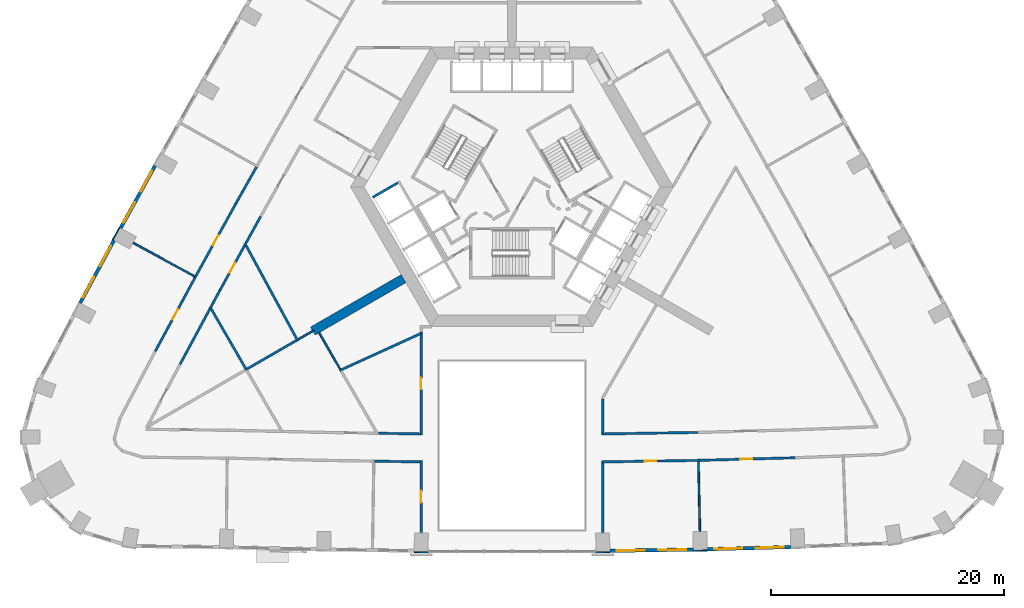
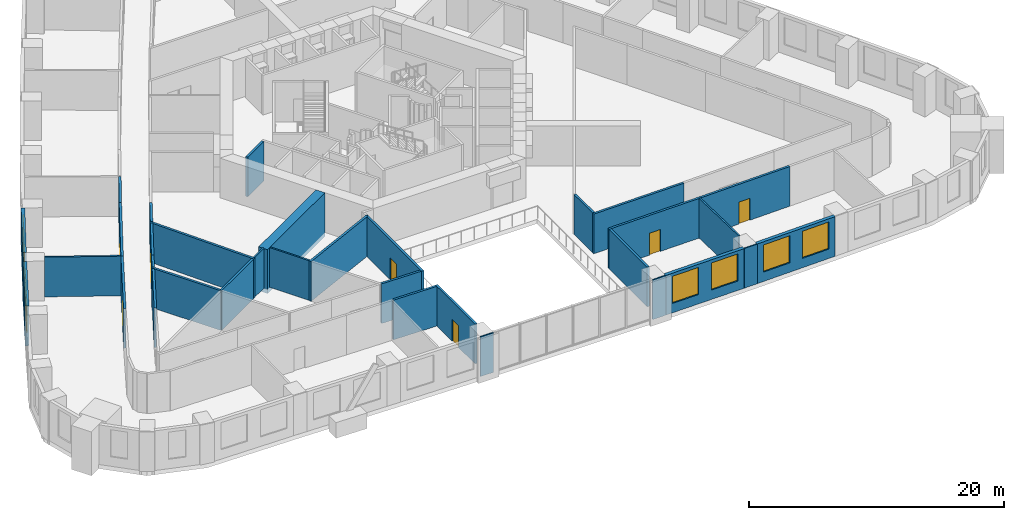
# One storey, part 5 of 13: 34 walls, 8 windows, 7 doors, 15 openings.
"""IFC4 building model written with IfcOpenShell, lengths in metres."""

from ifc_helpers import new_model, si_unit, direction, frame, frame_2d, origin, place, context, subcontext, project, spatial, rectangle, extrude, material, layer, layer_set, type_object, element, fill, save


model = new_model("IFC4")

# Units and contexts
model_context = context("Model", 3, precision=1e-05, world=origin(), true_north=direction((0.0, 1.0)))
body_context = subcontext(model_context, "Body", "Model", "MODEL_VIEW")
ifc_project = project(units=[si_unit("LENGTHUNIT", "METRE"), si_unit("AREAUNIT", "SQUARE_METRE"), si_unit("VOLUMEUNIT", "CUBIC_METRE"), si_unit("PLANEANGLEUNIT", "RADIAN"), si_unit("MASSUNIT", "GRAM", prefix="KILO")], contexts=[model_context])

# Site, building, storey
site_placement = place(None, origin())
site = spatial("IfcSite", under=ifc_project, at=site_placement, CompositionType="ELEMENT")
building_placement = place(site_placement, origin())
building = spatial("IfcBuilding", under=site, at=building_placement, Name="Entoto Arch Interchange Tower", CompositionType="ELEMENT")
storey_placement = place(building_placement, frame((0.0, 0.0, 51.800048828125)))
storey = spatial("IfcBuildingStorey", under=building, at=storey_placement, Name="L10", CompositionType="ELEMENT", Elevation=51.800048828125)

# Walls
ifc_material_1 = material(Name="Concrete C60/75", Category="concrete")
ifc_layer_1 = layer(ifc_material_1, 0.800048828125)
ifc_layer_set_1 = layer_set([ifc_layer_1], Name="Concrete C60/75")
wall_type_1 = type_object("IfcWallType", Name="Buttress wall 800 C60/75", PredefinedType="SHEAR", material=ifc_layer_set_1)
wall_1_placement = place(storey_placement, frame((-9.31005859375, -5.375, -0.400146484375), z_axis=(0.0, 0.0, 1.0), x_axis=(-0.866017533419, -0.500013631625, 0.0)))
element("IfcWall", 1, at=wall_1_placement, inside=storey, type_object=wall_type_1, Name="Buttress wall SW L10", PredefinedType="SHEAR", context=body_context, shape_type="SweptSolid", body=[
    extrude(rectangle(XDim=8.999755859375, YDim=0.800048828125, at=frame_2d((4.5, 0.0))), origin(), (0.0, 0.0, 1.0), 4.2001953125),
])
ifc_material_2 = material(Name="Concrete C40/50", Category="concrete")
ifc_layer_2 = layer(ifc_material_2, 0.199951171875)
ifc_layer_set_2 = layer_set([ifc_layer_2], Name="Concrete C40/50")
wall_type_2 = type_object("IfcWallType", Name="LIFT SHAFT WALL 200", PredefinedType="STANDARD", material=ifc_layer_set_2)
wall_2_placement = place(storey_placement, frame((-9.7880859375, 2.85302734375, 0.0), z_axis=(0.0, 0.0, 1.0), x_axis=(-0.865998541277, -0.500046524342, 0.0)))
element("IfcWall", 2, at=wall_2_placement, inside=storey, type_object=wall_type_2, Name="Shaft wall SW3 cross 1", PredefinedType="STANDARD", context=body_context, shape_type="SweptSolid", body=[
    extrude(rectangle(XDim=2.499755859375, YDim=0.199951171875, at=frame_2d((1.25, 0.0))), origin(), (0.0, 0.0, 1.0), 3.800048828125),
])
ifc_material_3 = material(Name="Gypsum board partition on steel studs", Category="steel")
ifc_layer_3 = layer(ifc_material_3, 0.14990234375)
ifc_layer_set_3 = layer_set([ifc_layer_3], Name="Gypsum board partition on steel studs")
wall_type_3 = type_object("IfcWallType", Name="PARTITION 150", PredefinedType="PARTITIONING", material=ifc_layer_set_3)
wall_3_placement = place(storey_placement, frame((-14.760986328125, -13.134033203125, 0.0), z_axis=(0.0, 0.0, 1.0), x_axis=(-0.499704810774, 0.866195764299, 0.0)))
element("IfcWall", 3, at=wall_3_placement, inside=storey, type_object=wall_type_3, Name="wall:L10:p125", PredefinedType="PARTITIONING", context=body_context, shape_type="SweptSolid", body=[
    extrude(rectangle(XDim=3.593994140625, YDim=0.14990234375, at=frame_2d((1.796875, 0.0))), origin(), (0.0, 0.0, 1.0), 3.800048828125),
])
wall_4_placement = place(storey_placement, frame((-17.032958984375, -9.8291015625, 0.0), z_axis=(0.0, 0.0, 1.0), x_axis=(-0.866094414679, -0.49988045057, 0.0)))
element("IfcWall", 4, at=wall_4_placement, inside=storey, type_object=wall_type_3, Name="wall:L10:p126", PredefinedType="PARTITIONING", context=body_context, shape_type="SweptSolid", body=[
    extrude(rectangle(XDim=1.515869140625, YDim=0.14990234375, at=frame_2d((0.7578125, 0.0))), origin(), (0.0, 0.0, 1.0), 3.800048828125),
])
wall_5_placement = place(storey_placement, frame((16.0048828125, -21.0791015625, 0.0), z_axis=(0.0, 0.0, 1.0), x_axis=(0.021436771826, -0.999770206004, 0.0)))
element("IfcWall", 5, at=wall_5_placement, inside=storey, type_object=wall_type_3, Name="wall:L10:p132", PredefinedType="PARTITIONING", context=body_context, shape_type="SweptSolid", body=[
    extrude(rectangle(XDim=5.979248046875, YDim=0.14990234375, at=frame_2d((2.98974609375, 0.0))), origin(), (0.0, 0.0, 1.0), 3.800048828125),
])
wall_6_placement = place(storey_placement, frame((-27.26806640625, -5.1708984375, 0.0), z_axis=(0.0, 0.0, 1.0), x_axis=(-0.877837854343, 0.478957932895, 0.0)))
element("IfcWall", 6, at=wall_6_placement, inside=storey, type_object=wall_type_3, Name="wall:L10:p143", PredefinedType="PARTITIONING", context=body_context, shape_type="SweptSolid", body=[
    extrude(rectangle(XDim=5.981689453125, YDim=0.14990234375, at=frame_2d((2.99072265625, 0.0))), origin(), (0.0, 0.0, 1.0), 3.800048828125),
])
ifc_layer_4 = layer(ifc_material_3, 0.199951171875)
ifc_layer_set_4 = layer_set([ifc_layer_4], Name="Gypsum board partition on steel studs")
wall_type_4 = type_object("IfcWallType", Name="PARTITION 200", PredefinedType="PARTITIONING", material=ifc_layer_set_4)
wall_7_placement = place(storey_placement, frame((7.699951171875, -18.7099609375, 0.0), z_axis=(0.0, 0.0, 1.0), x_axis=(0.999874256061, 0.015857870791, 0.0)))
element("IfcWall", 7, at=wall_7_placement, inside=storey, type_object=wall_type_4, Name="wall:L10:p018", PredefinedType="PARTITIONING", context=body_context, shape_type="SweptSolid", body=[
    extrude(rectangle(XDim=8.251953125, YDim=0.199951171875, at=frame_2d((4.1259765625, 0.0))), origin(), (0.0, 0.0, 1.0), 3.800048828125),
])
wall_8_placement = place(storey_placement, frame((-21.5849609375, -0.044921875, 0.0), z_axis=(0.0, 0.0, 1.0), x_axis=(-0.483139162319, -0.875543573921, 0.0)))
element("IfcWall", 8, at=wall_8_placement, inside=storey, type_object=wall_type_4, Name="wall:L10:p027", PredefinedType="PARTITIONING", context=body_context, shape_type="SweptSolid", body=[
    extrude(rectangle(XDim=2.610107421875, YDim=0.199951171875, at=frame_2d((1.30517578125, 0.0))), origin(), (0.0, 0.0, 1.0), 3.800048828125),
])
wall_9_placement = place(storey_placement, frame((-11.47705078125, -18.64990234375, 0.0), z_axis=(0.0, 0.0, 1.0), x_axis=(0.9998724957, -0.015968479661, 0.0)))
element("IfcWall", 9, at=wall_9_placement, inside=storey, type_object=wall_type_4, Name="wall:L10:p028", PredefinedType="PARTITIONING", context=body_context, shape_type="SweptSolid", body=[
    extrude(rectangle(XDim=3.57763671875, YDim=0.199951171875, at=frame_2d((1.788818359375, 0.0))), origin(), (0.0, 0.0, 1.0), 3.800048828125),
])

# Wall, opening, door
wall_10_placement = place(storey_placement, frame((-22.94189453125, -2.5048828125, 0.0), z_axis=(0.0, 0.0, 1.0), x_axis=(-0.48320751977, -0.875505849688, 0.0)))
wall_10 = element("IfcWall", 10, at=wall_10_placement, inside=storey, type_object=wall_type_4, Name="wall:L10:p029", PredefinedType="PARTITIONING", context=body_context, shape_type="SweptSolid", body=[
    extrude(rectangle(XDim=4.412353515625, YDim=0.199951171875, at=frame_2d((2.2060546875, 0.0))), origin(), (0.0, 0.0, 1.0), 3.800048828125),
])
opening_1_placement = place(wall_10_placement, frame((1.7060546875, 0.0, 0.0)))
opening_1 = element("IfcOpeningElement", 11, at=opening_1_placement, cuts=wall_10, Name="Opening L10-D23", PredefinedType="OPENING", context=body_context, shape_type="SweptSolid", body=[
    extrude(rectangle(XDim=1.0, YDim=2.10009765625, at=frame_2d((0.5, 1.050048828125))), frame((0.0, 0.10986328125, 0.0), z_axis=(0.0, -1.0, 0.0), x_axis=(1.0, 0.0, 0.0)), (0.0, 0.0, 1.0), 0.219970703125),
])
ifc_material_4 = material(Name="Timber door leaf in Steel S235 frame", Category="steel")
door_type = type_object("IfcDoorType", Name="DOOR DS-10 1000x2100", OperationType="SINGLE_SWING_LEFT", PredefinedType="DOOR", material=ifc_material_4)
door_1_placement = place(opening_1_placement, origin())
door_1 = element("IfcDoor", 12, at=door_1_placement, inside=storey, type_object=door_type, Name="door:L10:23", OperationType="SINGLE_SWING_LEFT", OverallHeight=2.10009765625, OverallWidth=1.0, PredefinedType="DOOR", context=body_context, shape_type="SweptSolid", body=[
    extrude(rectangle(XDim=1.0, YDim=2.10009765625, at=frame_2d((0.5, 1.050048828125))), frame((0.0, 0.02490234375, 0.0), z_axis=(0.0, -1.0, 0.0), x_axis=(1.0, 0.0, 0.0)), (0.0, 0.0, 1.0), 0.050048828125),
])
fill(opening_1, door_1)

# Walls
wall_11_placement = place(storey_placement, frame((-25.073974609375, -6.367919921875, 0.0), z_axis=(0.0, 0.0, 1.0), x_axis=(-0.474616646546, -0.880192614614, 0.0)))
element("IfcWall", 13, at=wall_11_placement, inside=storey, type_object=wall_type_4, Name="wall:L10:p030", PredefinedType="PARTITIONING", context=body_context, shape_type="SweptSolid", body=[
    extrude(rectangle(XDim=1.60546875, YDim=0.199951171875, at=frame_2d((0.802734375, 0.0))), origin(), (0.0, 0.0, 1.0), 3.800048828125),
])
wall_12_placement = place(storey_placement, frame((-25.930908203125, -7.95703125, 0.0), z_axis=(0.0, 0.0, 1.0), x_axis=(-0.474554072379, -0.880226352928, 0.0)))
element("IfcWall", 14, at=wall_12_placement, inside=storey, type_object=wall_type_4, Name="wall:L10:p033", PredefinedType="PARTITIONING", context=body_context, shape_type="SweptSolid", body=[
    extrude(rectangle(XDim=5.415771484375, YDim=0.199951171875, at=frame_2d((2.7080078125, 0.0))), origin(), (0.0, 0.0, 1.0), 3.800048828125),
])

# Wall, opening, door
wall_13_placement = place(storey_placement, frame((16.077880859375, -20.97802734375, 0.0), z_axis=(0.0, 0.0, 1.0), x_axis=(-0.999873907997, -0.015879801838, 0.0)))
wall_13 = element("IfcWall", 15, at=wall_13_placement, inside=storey, type_object=wall_type_4, Name="wall:L10:p037", PredefinedType="PARTITIONING", context=body_context, shape_type="SweptSolid", body=[
    extrude(rectangle(XDim=8.37890625, YDim=0.199951171875, at=frame_2d((4.189453125, 0.0))), origin(), (0.0, 0.0, 1.0), 3.800048828125),
])
opening_2_placement = place(wall_13_placement, frame((3.68896484375, 0.0, 0.0)))
opening_2 = element("IfcOpeningElement", 16, at=opening_2_placement, cuts=wall_13, Name="Opening L10-D01", PredefinedType="OPENING", context=body_context, shape_type="SweptSolid", body=[
    extrude(rectangle(XDim=1.0, YDim=2.10009765625, at=frame_2d((0.5, 1.050048828125))), frame((0.0, 0.10986328125, 0.0), z_axis=(0.0, -1.0, 0.0), x_axis=(1.0, 0.0, 0.0)), (0.0, 0.0, 1.0), 0.219970703125),
])
door_2_placement = place(opening_2_placement, origin())
door_2 = element("IfcDoor", 17, at=door_2_placement, inside=storey, type_object=door_type, Name="door:L10:01", OperationType="SINGLE_SWING_RIGHT", OverallHeight=2.10009765625, OverallWidth=1.0, PredefinedType="DOOR", context=body_context, shape_type="SweptSolid", body=[
    extrude(rectangle(XDim=1.0, YDim=2.10009765625, at=frame_2d((0.5, 1.050048828125))), frame((0.0, 0.02490234375, 0.0), z_axis=(0.0, -1.0, 0.0), x_axis=(1.0, 0.0, 0.0)), (0.0, 0.0, 1.0), 0.050048828125),
])
fill(opening_2, door_2)

wall_14_placement = place(storey_placement, frame((24.285888671875, -20.7548828125, 0.0), z_axis=(0.0, 0.0, 1.0), x_axis=(-0.999633883909, -0.027057312146, 0.0)))
wall_14 = element("IfcWall", 18, at=wall_14_placement, inside=storey, type_object=wall_type_4, Name="wall:L10:p039", PredefinedType="PARTITIONING", context=body_context, shape_type="SweptSolid", body=[
    extrude(rectangle(XDim=8.2109375, YDim=0.199951171875, at=frame_2d((4.10546875, 0.0))), origin(), (0.0, 0.0, 1.0), 3.800048828125),
])
opening_3_placement = place(wall_14_placement, frame((3.680908203125, 0.0, 0.0)))
opening_3 = element("IfcOpeningElement", 19, at=opening_3_placement, cuts=wall_14, Name="Opening L10-D02", PredefinedType="OPENING", context=body_context, shape_type="SweptSolid", body=[
    extrude(rectangle(XDim=1.0, YDim=2.10009765625, at=frame_2d((0.5, 1.050048828125))), frame((0.0, 0.10986328125, 0.0), z_axis=(0.0, -1.0, 0.0), x_axis=(1.0, 0.0, 0.0)), (0.0, 0.0, 1.0), 0.219970703125),
])
door_3_placement = place(opening_3_placement, origin())
door_3 = element("IfcDoor", 20, at=door_3_placement, inside=storey, type_object=door_type, Name="door:L10:02", OperationType="SINGLE_SWING_RIGHT", OverallHeight=2.10009765625, OverallWidth=1.0, PredefinedType="DOOR", context=body_context, shape_type="SweptSolid", body=[
    extrude(rectangle(XDim=1.0, YDim=2.10009765625, at=frame_2d((0.5, 1.050048828125))), frame((0.0, 0.02490234375, 0.0), z_axis=(0.0, -1.0, 0.0), x_axis=(1.0, 0.0, 0.0)), (0.0, 0.0, 1.0), 0.050048828125),
])
fill(opening_3, door_3)

wall_15_placement = place(storey_placement, frame((-27.217041015625, -5.283935546875, 0.0), z_axis=(0.0, 0.0, 1.0), x_axis=(0.483151415114, 0.875536812517, 0.0)))
wall_15 = element("IfcWall", 21, at=wall_15_placement, inside=storey, type_object=wall_type_4, Name="wall:L10:p067", PredefinedType="PARTITIONING", context=body_context, shape_type="SweptSolid", body=[
    extrude(rectangle(XDim=7.31884765625, YDim=0.199951171875, at=frame_2d((3.659423828125, 0.0))), origin(), (0.0, 0.0, 1.0), 3.800048828125),
])
opening_4_placement = place(wall_15_placement, frame((3.158935546875, 0.0, 0.0)))
opening_4 = element("IfcOpeningElement", 22, at=opening_4_placement, cuts=wall_15, Name="Opening L10-D12", PredefinedType="OPENING", context=body_context, shape_type="SweptSolid", body=[
    extrude(rectangle(XDim=1.0, YDim=2.10009765625, at=frame_2d((0.5, 1.050048828125))), frame((0.0, 0.10986328125, 0.0), z_axis=(0.0, -1.0, 0.0), x_axis=(1.0, 0.0, 0.0)), (0.0, 0.0, 1.0), 0.219970703125),
])
door_4_placement = place(opening_4_placement, origin())
door_4 = element("IfcDoor", 23, at=door_4_placement, inside=storey, type_object=door_type, Name="door:L10:12", OperationType="SINGLE_SWING_LEFT", OverallHeight=2.10009765625, OverallWidth=1.0, PredefinedType="DOOR", context=body_context, shape_type="SweptSolid", body=[
    extrude(rectangle(XDim=1.0, YDim=2.10009765625, at=frame_2d((0.5, 1.050048828125))), frame((0.0, 0.02490234375, 0.0), z_axis=(0.0, -1.0, 0.0), x_axis=(1.0, 0.0, 0.0)), (0.0, 0.0, 1.0), 0.050048828125),
])
fill(opening_4, door_4)

# Wall
wall_16_placement = place(storey_placement, frame((-23.680908203125, 1.1240234375, 0.0), z_axis=(0.0, 0.0, 1.0), x_axis=(0.491485799319, 0.870885588965, 0.0)))
element("IfcWall", 24, at=wall_16_placement, inside=storey, type_object=wall_type_4, Name="wall:L10:p068", PredefinedType="PARTITIONING", context=body_context, shape_type="SweptSolid", body=[
    extrude(rectangle(XDim=3.548095703125, YDim=0.199951171875, at=frame_2d((1.77392578125, 0.0))), origin(), (0.0, 0.0, 1.0), 3.800048828125),
])

# Wall, opening, door
wall_17_placement = place(storey_placement, frame((-30.618896484375, -11.594970703125, 0.0), z_axis=(0.0, 0.0, 1.0), x_axis=(0.474595197669, 0.880204179921, 0.0)))
wall_17 = element("IfcWall", 25, at=wall_17_placement, inside=storey, type_object=wall_type_4, Name="wall:L10:p075", PredefinedType="PARTITIONING", context=body_context, shape_type="SweptSolid", body=[
    extrude(rectangle(XDim=7.169921875, YDim=0.199951171875, at=frame_2d((3.5849609375, 0.0))), origin(), (0.0, 0.0, 1.0), 3.800048828125),
])
opening_5_placement = place(wall_17_placement, frame((3.0849609375, 0.0, 0.0)))
opening_5 = element("IfcOpeningElement", 26, at=opening_5_placement, cuts=wall_17, Name="Opening L10-D13", PredefinedType="OPENING", context=body_context, shape_type="SweptSolid", body=[
    extrude(rectangle(XDim=1.0, YDim=2.10009765625, at=frame_2d((0.5, 1.050048828125))), frame((0.0, 0.10986328125, 0.0), z_axis=(0.0, -1.0, 0.0), x_axis=(1.0, 0.0, 0.0)), (0.0, 0.0, 1.0), 0.219970703125),
])
door_5_placement = place(opening_5_placement, origin())
door_5 = element("IfcDoor", 27, at=door_5_placement, inside=storey, type_object=door_type, Name="door:L10:13", OperationType="SINGLE_SWING_LEFT", OverallHeight=2.10009765625, OverallWidth=1.0, PredefinedType="DOOR", context=body_context, shape_type="SweptSolid", body=[
    extrude(rectangle(XDim=1.0, YDim=2.10009765625, at=frame_2d((0.5, 1.050048828125))), frame((0.0, 0.02490234375, 0.0), z_axis=(0.0, -1.0, 0.0), x_axis=(1.0, 0.0, 0.0)), (0.0, 0.0, 1.0), 0.050048828125),
])
fill(opening_5, door_5)

# Walls
wall_18_placement = place(storey_placement, frame((-7.89990234375, -21.10693359375, 0.0), z_axis=(0.0, 0.0, 1.0), x_axis=(-0.999876676102, 0.015704540367, 0.0)))
element("IfcWall", 28, at=wall_18_placement, inside=storey, type_object=wall_type_4, Name="wall:L10:p078", PredefinedType="PARTITIONING", context=body_context, shape_type="SweptSolid", body=[
    extrude(rectangle(XDim=3.886474609375, YDim=0.199951171875, at=frame_2d((1.943359375, 0.0))), origin(), (0.0, 0.0, 1.0), 3.800048828125),
])
wall_19_placement = place(storey_placement, frame((7.800048828125, -15.68994140625, 0.0), z_axis=(0.0, 0.0, 1.0), x_axis=(0.0, -1.0, 0.0)))
element("IfcWall", 29, at=wall_19_placement, inside=storey, type_object=wall_type_4, Name="wall:L10:p110", PredefinedType="PARTITIONING", context=body_context, shape_type="SweptSolid", body=[
    extrude(rectangle(XDim=2.9189453125, YDim=0.199951171875, at=frame_2d((1.45947265625, 0.0))), origin(), (0.0, 0.0, 1.0), 3.800048828125),
])

# Wall, opening, door
wall_20_placement = place(storey_placement, frame((-7.800048828125, -18.80908203125, 0.0), z_axis=(0.0, 0.0, 1.0), x_axis=(0.0, 1.0, 0.0)))
wall_20 = element("IfcWall", 30, at=wall_20_placement, inside=storey, type_object=wall_type_4, Name="wall:L10:p113", PredefinedType="PARTITIONING", context=body_context, shape_type="SweptSolid", body=[
    extrude(rectangle(XDim=8.837158203125, YDim=0.199951171875, at=frame_2d((4.41845703125, 0.0))), origin(), (0.0, 0.0, 1.0), 3.800048828125),
])
opening_6_placement = place(wall_20_placement, frame((3.91796875, 0.0, 0.0)))
opening_6 = element("IfcOpeningElement", 31, at=opening_6_placement, cuts=wall_20, Name="Opening L10-D22", PredefinedType="OPENING", context=body_context, shape_type="SweptSolid", body=[
    extrude(rectangle(XDim=1.0, YDim=2.10009765625, at=frame_2d((0.5, 1.050048828125))), frame((0.0, 0.10986328125, 0.0), z_axis=(0.0, -1.0, 0.0), x_axis=(1.0, 0.0, 0.0)), (0.0, 0.0, 1.0), 0.219970703125),
])
door_6_placement = place(opening_6_placement, origin())
door_6 = element("IfcDoor", 32, at=door_6_placement, inside=storey, type_object=door_type, Name="door:L10:22", OperationType="SINGLE_SWING_RIGHT", OverallHeight=2.10009765625, OverallWidth=1.0, PredefinedType="DOOR", context=body_context, shape_type="SweptSolid", body=[
    extrude(rectangle(XDim=1.0, YDim=2.10009765625, at=frame_2d((0.5, 1.050048828125))), frame((0.0, 0.02490234375, 0.0), z_axis=(0.0, -1.0, 0.0), x_axis=(1.0, 0.0, 0.0)), (0.0, 0.0, 1.0), 0.050048828125),
])
fill(opening_6, door_6)

# Wall
wall_21_placement = place(storey_placement, frame((7.800048828125, -21.208984375, 0.0), z_axis=(0.0, 0.0, 1.0), x_axis=(0.0, -1.0, 0.0)))
element("IfcWall", 33, at=wall_21_placement, inside=storey, type_object=wall_type_4, Name="wall:L10:p114", PredefinedType="PARTITIONING", context=body_context, shape_type="SweptSolid", body=[
    extrude(rectangle(XDim=5.98095703125, YDim=0.199951171875, at=frame_2d((2.990478515625, 0.0))), origin(), (0.0, 0.0, 1.0), 3.800048828125),
])

# Wall, opening, door
wall_22_placement = place(storey_placement, frame((-7.800048828125, -27.18994140625, 0.0), z_axis=(0.0, 0.0, 1.0), x_axis=(0.0, 1.0, 0.0)))
wall_22 = element("IfcWall", 34, at=wall_22_placement, inside=storey, type_object=wall_type_4, Name="wall:L10:p115", PredefinedType="PARTITIONING", context=body_context, shape_type="SweptSolid", body=[
    extrude(rectangle(XDim=6.180908203125, YDim=0.199951171875, at=frame_2d((3.09033203125, 0.0))), origin(), (0.0, 0.0, 1.0), 3.800048828125),
])
opening_7_placement = place(wall_22_placement, frame((2.590087890625, 0.0, 0.0)))
opening_7 = element("IfcOpeningElement", 35, at=opening_7_placement, cuts=wall_22, Name="Opening L10-D15", PredefinedType="OPENING", context=body_context, shape_type="SweptSolid", body=[
    extrude(rectangle(XDim=1.0, YDim=2.10009765625, at=frame_2d((0.5, 1.050048828125))), frame((0.0, 0.10986328125, 0.0), z_axis=(0.0, -1.0, 0.0), x_axis=(1.0, 0.0, 0.0)), (0.0, 0.0, 1.0), 0.219970703125),
])
door_7_placement = place(opening_7_placement, origin())
door_7 = element("IfcDoor", 36, at=door_7_placement, inside=storey, type_object=door_type, Name="door:L10:15", OperationType="SINGLE_SWING_LEFT", OverallHeight=2.10009765625, OverallWidth=1.0, PredefinedType="DOOR", context=body_context, shape_type="SweptSolid", body=[
    extrude(rectangle(XDim=1.0, YDim=2.10009765625, at=frame_2d((0.5, 1.050048828125))), frame((0.0, 0.02490234375, 0.0), z_axis=(0.0, -1.0, 0.0), x_axis=(1.0, 0.0, 0.0)), (0.0, 0.0, 1.0), 0.050048828125),
])
fill(opening_7, door_7)

# Walls
wall_23_placement = place(storey_placement, frame((-7.800048828125, -10.072021484375, 0.0), z_axis=(0.0, 0.0, 1.0), x_axis=(-0.910011899741, -0.414582129777, 0.0)))
element("IfcWall", 37, at=wall_23_placement, inside=storey, type_object=wall_type_4, Name="wall:L10:p123", PredefinedType="PARTITIONING", context=body_context, shape_type="SweptSolid", body=[
    extrude(rectangle(XDim=7.6943359375, YDim=0.199951171875, at=frame_2d((3.84716796875, 0.0))), origin(), (0.0, 0.0, 1.0), 3.800048828125),
])
wall_24_placement = place(storey_placement, frame((-18.384033203125, -10.72509765625, 0.0), z_axis=(0.0, 0.0, 1.0), x_axis=(-0.477137547132, 0.878828630119, 0.0)))
element("IfcWall", 38, at=wall_24_placement, inside=storey, type_object=wall_type_4, Name="wall:L10:p124", PredefinedType="PARTITIONING", context=body_context, shape_type="SweptSolid", body=[
    extrude(rectangle(XDim=9.552490234375, YDim=0.199951171875, at=frame_2d((4.7763671875, 0.0))), origin(), (0.0, 0.0, 1.0), 3.800048828125),
])
wall_25_placement = place(storey_placement, frame((-18.51904296875, -10.68701171875, 0.0), z_axis=(0.0, 0.0, 1.0), x_axis=(-0.866063668779, -0.499933717229, 0.0)))
element("IfcWall", 39, at=wall_25_placement, inside=storey, type_object=wall_type_4, Name="wall:L10:p128", PredefinedType="PARTITIONING", context=body_context, shape_type="SweptSolid", body=[
    extrude(rectangle(XDim=4.968505859375, YDim=0.199951171875, at=frame_2d((2.484375, 0.0))), origin(), (0.0, 0.0, 1.0), 3.800048828125),
])
wall_26_placement = place(storey_placement, frame((-22.822021484375, -13.1708984375, 0.0), z_axis=(0.0, 0.0, 1.0), x_axis=(-0.499974913987, 0.866039886717, 0.0)))
element("IfcWall", 40, at=wall_26_placement, inside=storey, type_object=wall_type_4, Name="wall:L10:p129", PredefinedType="PARTITIONING", context=body_context, shape_type="SweptSolid", body=[
    extrude(rectangle(XDim=6.222412109375, YDim=0.199951171875, at=frame_2d((3.111328125, 0.0))), origin(), (0.0, 0.0, 1.0), 3.800048828125),
])

# Wall, openings, windows
ifc_material_5 = material(Name="Welded tuff (ignimbrite) cladding, warm buff", Category="masonry")
ifc_layer_5 = layer(ifc_material_5, 0.300048828125)
ifc_layer_set_5 = layer_set([ifc_layer_5], Name="Welded tuff (ignimbrite) cladding, warm buff")
wall_type_5 = type_object("IfcWallType", Name="STONE INFILL WALL 300", PredefinedType="STANDARD", material=ifc_layer_set_5)
wall_27_placement = place(storey_placement, frame((8.39794921875, -28.75, 0.0), z_axis=(0.0, 0.0, 1.0), x_axis=(0.999875756772, 0.015762963512, 0.0)))
wall_27 = element("IfcWall", 41, at=wall_27_placement, inside=storey, type_object=wall_type_5, Name="Facade wall S-05 L10", PredefinedType="STANDARD", context=body_context, shape_type="SweptSolid", body=[
    extrude(rectangle(XDim=7.171142578125, YDim=0.300048828125, at=frame_2d((3.58544921875, 0.0))), origin(), (0.0, 0.0, 1.0), 3.800048828125),
])
opening_8_placement = place(wall_27_placement, frame((0.593017578125, 0.0, 0.89990234375)))
opening_8 = element("IfcOpeningElement", 42, at=opening_8_placement, cuts=wall_27, Name="Opening WO-A", PredefinedType="OPENING", context=body_context, shape_type="SweptSolid", body=[
    extrude(rectangle(XDim=2.39990234375, YDim=2.60009765625, at=frame_2d((1.199951171875, 1.300048828125))), frame((0.0, 0.16015625, 0.0), z_axis=(0.0, -1.0, 0.0), x_axis=(1.0, 0.0, 0.0)), (0.0, 0.0, 1.0), 0.320068359375),
])
opening_9_placement = place(wall_27_placement, frame((4.177978515625, 0.0, 0.89990234375)))
opening_9 = element("IfcOpeningElement", 43, at=opening_9_placement, cuts=wall_27, Name="Opening WO-A", PredefinedType="OPENING", context=body_context, shape_type="SweptSolid", body=[
    extrude(rectangle(XDim=2.39990234375, YDim=2.60009765625, at=frame_2d((1.199951171875, 1.300048828125))), frame((0.0, 0.16015625, 0.0), z_axis=(0.0, -1.0, 0.0), x_axis=(1.0, 0.0, 0.0)), (0.0, 0.0, 1.0), 0.320068359375),
])
ifc_material_6 = material(Name="Clear glass, low-e double glazed", Category="glass")
window_type_1 = type_object("IfcWindowType", Name="WINDOW WO-A 2400x2600", PartitioningType="DOUBLE_PANEL_VERTICAL", PredefinedType="WINDOW", material=ifc_material_6)
window_1_placement = place(opening_8_placement, origin())
window_1 = element("IfcWindow", 44, at=window_1_placement, inside=storey, type_object=window_type_1, Name="Window WO-A S-05 L10", OverallHeight=2.60009765625, OverallWidth=2.39990234375, PartitioningType="SINGLE_PANEL", PredefinedType="WINDOW", context=body_context, shape_type="SweptSolid", body=[
    extrude(rectangle(XDim=2.39990234375, YDim=2.60009765625, at=frame_2d((1.199951171875, 1.300048828125))), frame((0.0, 0.030029296875, 0.0), z_axis=(0.0, -1.0, 0.0), x_axis=(1.0, 0.0, 0.0)), (0.0, 0.0, 1.0), 0.06005859375),
])
fill(opening_8, window_1)
window_2_placement = place(opening_9_placement, origin())
window_2 = element("IfcWindow", 45, at=window_2_placement, inside=storey, type_object=window_type_1, Name="Window WO-A S-05 L10", OverallHeight=2.60009765625, OverallWidth=2.39990234375, PartitioningType="SINGLE_PANEL", PredefinedType="WINDOW", context=body_context, shape_type="SweptSolid", body=[
    extrude(rectangle(XDim=2.39990234375, YDim=2.60009765625, at=frame_2d((1.199951171875, 1.300048828125))), frame((0.0, 0.030029296875, 0.0), z_axis=(0.0, -1.0, 0.0), x_axis=(1.0, 0.0, 0.0)), (0.0, 0.0, 1.0), 0.06005859375),
])
fill(opening_9, window_2)

wall_28_placement = place(storey_placement, frame((16.764892578125, -28.611083984375, 0.0), z_axis=(0.0, 0.0, 1.0), x_axis=(0.999633925798, 0.027055764512, 0.0)))
wall_28 = element("IfcWall", 46, at=wall_28_placement, inside=storey, type_object=wall_type_5, Name="Facade wall S-06 L10", PredefinedType="STANDARD", context=body_context, shape_type="SweptSolid", body=[
    extrude(rectangle(XDim=7.173828125, YDim=0.300048828125, at=frame_2d((3.5869140625, 0.0))), origin(), (0.0, 0.0, 1.0), 3.800048828125),
])
opening_10_placement = place(wall_28_placement, frame((0.593017578125, 0.0, 0.89990234375)))
opening_10 = element("IfcOpeningElement", 47, at=opening_10_placement, cuts=wall_28, Name="Opening WO-A", PredefinedType="OPENING", context=body_context, shape_type="SweptSolid", body=[
    extrude(rectangle(XDim=2.39990234375, YDim=2.60009765625, at=frame_2d((1.199951171875, 1.300048828125))), frame((0.0, 0.16015625, 0.0), z_axis=(0.0, -1.0, 0.0), x_axis=(1.0, 0.0, 0.0)), (0.0, 0.0, 1.0), 0.320068359375),
])
opening_11_placement = place(wall_28_placement, frame((4.179931640625, 0.0, 0.89990234375)))
opening_11 = element("IfcOpeningElement", 48, at=opening_11_placement, cuts=wall_28, Name="Opening WO-A", PredefinedType="OPENING", context=body_context, shape_type="SweptSolid", body=[
    extrude(rectangle(XDim=2.39990234375, YDim=2.60009765625, at=frame_2d((1.199951171875, 1.300048828125))), frame((0.0, 0.16015625, 0.0), z_axis=(0.0, -1.0, 0.0), x_axis=(1.0, 0.0, 0.0)), (0.0, 0.0, 1.0), 0.320068359375),
])
window_3_placement = place(opening_10_placement, origin())
window_3 = element("IfcWindow", 49, at=window_3_placement, inside=storey, type_object=window_type_1, Name="Window WO-A S-06 L10", OverallHeight=2.60009765625, OverallWidth=2.39990234375, PartitioningType="SINGLE_PANEL", PredefinedType="WINDOW", context=body_context, shape_type="SweptSolid", body=[
    extrude(rectangle(XDim=2.39990234375, YDim=2.60009765625, at=frame_2d((1.199951171875, 1.300048828125))), frame((0.0, 0.030029296875, 0.0), z_axis=(0.0, -1.0, 0.0), x_axis=(1.0, 0.0, 0.0)), (0.0, 0.0, 1.0), 0.06005859375),
])
fill(opening_10, window_3)
window_4_placement = place(opening_11_placement, origin())
window_4 = element("IfcWindow", 50, at=window_4_placement, inside=storey, type_object=window_type_1, Name="Window WO-A S-06 L10", OverallHeight=2.60009765625, OverallWidth=2.39990234375, PartitioningType="SINGLE_PANEL", PredefinedType="WINDOW", context=body_context, shape_type="SweptSolid", body=[
    extrude(rectangle(XDim=2.39990234375, YDim=2.60009765625, at=frame_2d((1.199951171875, 1.300048828125))), frame((0.0, 0.030029296875, 0.0), z_axis=(0.0, -1.0, 0.0), x_axis=(1.0, 0.0, 0.0)), (0.0, 0.0, 1.0), 0.06005859375),
])
fill(opening_11, window_4)

wall_29_placement = place(storey_placement, frame((-30.64990234375, 4.327880859375, 0.0), z_axis=(0.0, 0.0, 1.0), x_axis=(-0.483195456594, -0.875512507465, 0.0)))
wall_29 = element("IfcWall", 51, at=wall_29_placement, inside=storey, type_object=wall_type_5, Name="Facade wall NW-07 L10", PredefinedType="STANDARD", context=body_context, shape_type="SweptSolid", body=[
    extrude(rectangle(XDim=6.11962890625, YDim=0.300048828125, at=frame_2d((3.059814453125, 0.0))), origin(), (0.0, 0.0, 1.0), 3.800048828125),
])
opening_12_placement = place(wall_29_placement, frame((0.530029296875, 0.0, 0.89990234375)))
opening_12 = element("IfcOpeningElement", 52, at=opening_12_placement, cuts=wall_29, Name="Opening WO-C", PredefinedType="OPENING", context=body_context, shape_type="SweptSolid", body=[
    extrude(rectangle(XDim=2.0, YDim=2.60009765625, at=frame_2d((1.0, 1.300048828125))), frame((0.0, 0.16015625, 0.0), z_axis=(0.0, -1.0, 0.0), x_axis=(1.0, 0.0, 0.0)), (0.0, 0.0, 1.0), 0.320068359375),
])
opening_13_placement = place(wall_29_placement, frame((3.590087890625, 0.0, 0.89990234375)))
opening_13 = element("IfcOpeningElement", 53, at=opening_13_placement, cuts=wall_29, Name="Opening WO-C", PredefinedType="OPENING", context=body_context, shape_type="SweptSolid", body=[
    extrude(rectangle(XDim=2.0, YDim=2.60009765625, at=frame_2d((1.0, 1.300048828125))), frame((0.0, 0.16015625, 0.0), z_axis=(0.0, -1.0, 0.0), x_axis=(1.0, 0.0, 0.0)), (0.0, 0.0, 1.0), 0.320068359375),
])
window_type_2 = type_object("IfcWindowType", Name="WINDOW WO-C 2000x2600", PartitioningType="DOUBLE_PANEL_VERTICAL", PredefinedType="WINDOW", material=ifc_material_6)
window_5_placement = place(opening_12_placement, origin())
window_5 = element("IfcWindow", 54, at=window_5_placement, inside=storey, type_object=window_type_2, Name="Window WO-C NW-07 L10", OverallHeight=2.60009765625, OverallWidth=2.0, PartitioningType="SINGLE_PANEL", PredefinedType="WINDOW", context=body_context, shape_type="SweptSolid", body=[
    extrude(rectangle(XDim=2.0, YDim=2.60009765625, at=frame_2d((1.0, 1.300048828125))), frame((0.0, 0.030029296875, 0.0), z_axis=(0.0, -1.0, 0.0), x_axis=(1.0, 0.0, 0.0)), (0.0, 0.0, 1.0), 0.06005859375),
])
fill(opening_12, window_5)
window_6_placement = place(opening_13_placement, origin())
window_6 = element("IfcWindow", 55, at=window_6_placement, inside=storey, type_object=window_type_2, Name="Window WO-C NW-07 L10", OverallHeight=2.60009765625, OverallWidth=2.0, PartitioningType="SINGLE_PANEL", PredefinedType="WINDOW", context=body_context, shape_type="SweptSolid", body=[
    extrude(rectangle(XDim=2.0, YDim=2.60009765625, at=frame_2d((1.0, 1.300048828125))), frame((0.0, 0.030029296875, 0.0), z_axis=(0.0, -1.0, 0.0), x_axis=(1.0, 0.0, 0.0)), (0.0, 0.0, 1.0), 0.06005859375),
])
fill(opening_13, window_6)

wall_30_placement = place(storey_placement, frame((-34.180908203125, -2.08203125, 0.0), z_axis=(0.0, 0.0, 1.0), x_axis=(-0.474584950749, -0.880209704856, 0.0)))
wall_30 = element("IfcWall", 56, at=wall_30_placement, inside=storey, type_object=wall_type_5, Name="Facade wall NW-08 L10", PredefinedType="STANDARD", context=body_context, shape_type="SweptSolid", body=[
    extrude(rectangle(XDim=6.12109375, YDim=0.300048828125, at=frame_2d((3.060546875, 0.0))), origin(), (0.0, 0.0, 1.0), 3.800048828125),
])
opening_14_placement = place(wall_30_placement, frame((0.530029296875, 0.0, 0.89990234375)))
opening_14 = element("IfcOpeningElement", 57, at=opening_14_placement, cuts=wall_30, Name="Opening WO-C", PredefinedType="OPENING", context=body_context, shape_type="SweptSolid", body=[
    extrude(rectangle(XDim=2.0, YDim=2.60009765625, at=frame_2d((1.0, 1.300048828125))), frame((0.0, 0.16015625, 0.0), z_axis=(0.0, -1.0, 0.0), x_axis=(1.0, 0.0, 0.0)), (0.0, 0.0, 1.0), 0.320068359375),
])
opening_15_placement = place(wall_30_placement, frame((3.591064453125, 0.0, 0.89990234375)))
opening_15 = element("IfcOpeningElement", 58, at=opening_15_placement, cuts=wall_30, Name="Opening WO-C", PredefinedType="OPENING", context=body_context, shape_type="SweptSolid", body=[
    extrude(rectangle(XDim=2.0, YDim=2.60009765625, at=frame_2d((1.0, 1.300048828125))), frame((0.0, 0.16015625, 0.0), z_axis=(0.0, -1.0, 0.0), x_axis=(1.0, 0.0, 0.0)), (0.0, 0.0, 1.0), 0.320068359375),
])
window_7_placement = place(opening_14_placement, origin())
window_7 = element("IfcWindow", 59, at=window_7_placement, inside=storey, type_object=window_type_2, Name="Window WO-C NW-08 L10", OverallHeight=2.60009765625, OverallWidth=2.0, PartitioningType="SINGLE_PANEL", PredefinedType="WINDOW", context=body_context, shape_type="SweptSolid", body=[
    extrude(rectangle(XDim=2.0, YDim=2.60009765625, at=frame_2d((1.0, 1.300048828125))), frame((0.0, 0.030029296875, 0.0), z_axis=(0.0, -1.0, 0.0), x_axis=(1.0, 0.0, 0.0)), (0.0, 0.0, 1.0), 0.06005859375),
])
fill(opening_14, window_7)
window_8_placement = place(opening_15_placement, origin())
window_8 = element("IfcWindow", 60, at=window_8_placement, inside=storey, type_object=window_type_2, Name="Window WO-C NW-08 L10", OverallHeight=2.60009765625, OverallWidth=2.0, PartitioningType="SINGLE_PANEL", PredefinedType="WINDOW", context=body_context, shape_type="SweptSolid", body=[
    extrude(rectangle(XDim=2.0, YDim=2.60009765625, at=frame_2d((1.0, 1.300048828125))), frame((0.0, 0.030029296875, 0.0), z_axis=(0.0, -1.0, 0.0), x_axis=(1.0, 0.0, 0.0)), (0.0, 0.0, 1.0), 0.06005859375),
])
fill(opening_15, window_8)

# Walls
ifc_layer_6 = layer(ifc_material_5, 0.10009765625)
ifc_layer_set_6 = layer_set([ifc_layer_6], Name="Welded tuff (ignimbrite) cladding, warm buff")
wall_type_6 = type_object("IfcWallType", Name="STONE PIER CLADDING 100", PredefinedType="STANDARD", material=ifc_layer_set_6)
wall_31_placement = place(storey_placement, frame((-33.697021484375, -0.97998046875, 0.0), z_axis=(0.0, 0.0, 1.0), x_axis=(-0.478267644701, -0.878214131082, 0.0)))
element("IfcWall", 61, at=wall_31_placement, inside=storey, type_object=wall_type_6, Name="Stone pier NW08 L10", PredefinedType="STANDARD", context=body_context, shape_type="SweptSolid", body=[
    extrude(rectangle(XDim=1.2001953125, YDim=0.10009765625, at=frame_2d((0.60009765625, 0.0))), origin(), (0.0, 0.0, 1.0), 3.800048828125),
])
for number, where, z_axis, x_axis, name in (
    (62, (-8.39990234375, -28.85498046875, 0.0), (0.0, 0.0, 1.0), (0.999965208912, -0.008341520563, 0.0), "Stone pier S04 L10"),
    (63, (7.199951171875, -28.864990234375, 0.0), (0.0, 0.0, 1.0), (0.999965208912, 0.008341520563, 0.0), "Stone pier S05 L10"),
):
    element("IfcWall", number, at=place(storey_placement, frame(where, z_axis=z_axis, x_axis=x_axis)), inside=storey, type_object=wall_type_6, Name=name, PredefinedType="STANDARD", context=body_context, shape_type="SweptSolid", body=[
        extrude(rectangle(XDim=1.199951171875, YDim=0.10009765625, at=frame_2d((0.60009765625, 0.0))), origin(), (0.0, 0.0, 1.0), 3.800048828125),
    ])
wall_32_placement = place(storey_placement, frame((15.569091796875, -28.739990234375, 0.0), z_axis=(0.0, 0.0, 1.0), x_axis=(0.99976752127, 0.021561618973, 0.0)))
element("IfcWall", 64, at=wall_32_placement, inside=storey, type_object=wall_type_6, Name="Stone pier S06 L10", PredefinedType="STANDARD", context=body_context, shape_type="SweptSolid", body=[
    extrude(rectangle(XDim=1.2001953125, YDim=0.10009765625, at=frame_2d((0.60009765625, 0.0))), origin(), (0.0, 0.0, 1.0), 3.800048828125),
])

save(model, "model.ifc")
